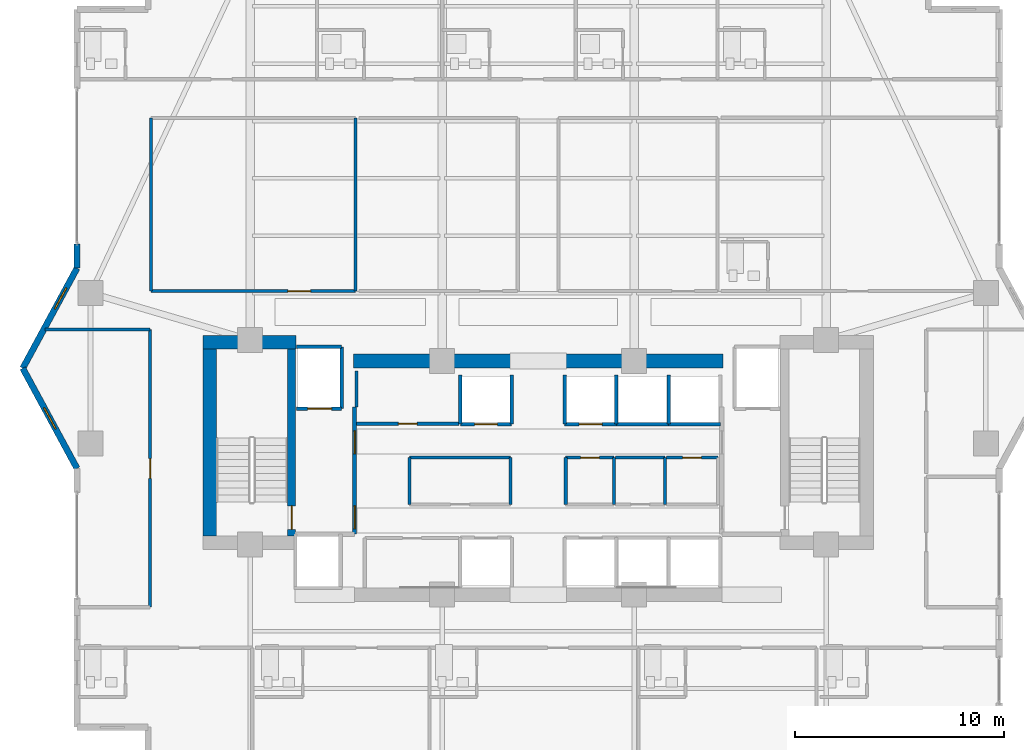
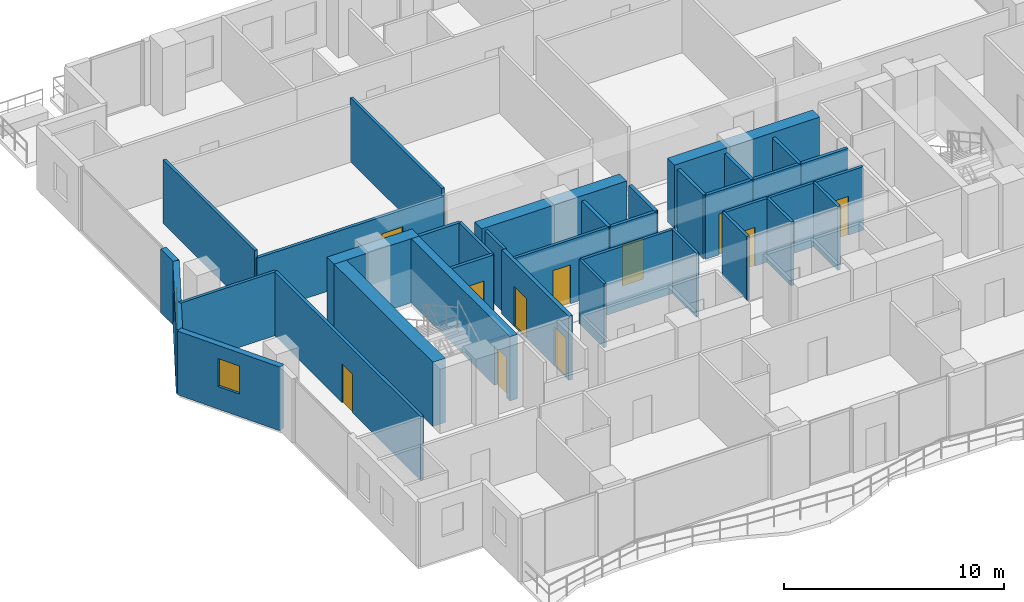
# One storey, part 25 of 32: 37 walls, 11 doors, 2 windows, 13 openings.
"""IFC4 building model written with IfcOpenShell, lengths in metres."""

from ifc_helpers import new_model, si_unit, direction, frame, frame_2d, origin, place, context, subcontext, project, spatial, rectangle, extrude, material, layer, layer_set, type_object, element, fill, save


model = new_model("IFC4")

# Units and contexts
model_context = context("Model", 3, precision=1e-05, world=origin(), true_north=direction((0.0, 1.0)))
body_context = subcontext(model_context, "Body", "Model", "MODEL_VIEW")
ifc_project = project(units=[si_unit("LENGTHUNIT", "METRE"), si_unit("AREAUNIT", "SQUARE_METRE"), si_unit("VOLUMEUNIT", "CUBIC_METRE"), si_unit("PLANEANGLEUNIT", "RADIAN"), si_unit("MASSUNIT", "GRAM", prefix="KILO")], contexts=[model_context])

# Site, building, storey
site_placement = place(None, origin())
site = spatial("IfcSite", under=ifc_project, at=site_placement, CompositionType="ELEMENT")
building_placement = place(site_placement, origin())
building = spatial("IfcBuilding", under=site, at=building_placement, Name="Zuhayl Quay Hotel", CompositionType="ELEMENT")
storey_placement = place(building_placement, frame((0.0, 0.0, 177.39990234375)))
storey = spatial("IfcBuildingStorey", under=building, at=storey_placement, Name="L44", CompositionType="ELEMENT", Elevation=177.39990234375)

# Walls
ifc_material_1 = material(Name="Concrete C50/60", Category="concrete")
ifc_layer_1 = layer(ifc_material_1, 0.64990234375, Name="Concrete C50/60", Category="concrete")
ifc_layer_set_1 = layer_set([ifc_layer_1], Name="Concrete C50/60")
wall_type_1 = type_object("IfcWallType", Name="WL_CORE_650", PredefinedType="SHEAR", material=ifc_layer_set_1)
wall_1_placement = place(storey_placement, frame((-16.06005859375, 14.2548828125, 0.0), z_axis=(0.0, 0.0, 1.0), x_axis=(1.0, 0.0, 0.0)))
element("IfcWall", 1, at=wall_1_placement, inside=storey, type_object=wall_type_1, Name="L44 Core Shear Wall CW_NW", PredefinedType="SHEAR", context=body_context, shape_type="SweptSolid", body=[
    extrude(rectangle(XDim=4.4599609375, YDim=0.64990234375, at=frame_2d((2.22998046875, 0.0))), origin(), (0.0, 0.0, 1.0), 3.56005859375),
])
wall_2_placement = place(storey_placement, frame((-15.735107421875, 4.969970703125, 0.0), z_axis=(0.0, 0.0, 1.0), x_axis=(0.0, 1.0, 0.0)))
element("IfcWall", 2, at=wall_2_placement, inside=storey, type_object=wall_type_1, Name="L44 Core Shear Wall CW_W", PredefinedType="SHEAR", context=body_context, shape_type="SweptSolid", body=[
    extrude(rectangle(XDim=8.9599609375, YDim=0.64990234375, at=frame_2d((4.47998046875, 0.0))), origin(), (0.0, 0.0, 1.0), 3.56005859375),
])
for number, where, z_axis, x_axis, name in (
    (3, (-8.85009765625, 13.35009765625, 0.0), (0.0, 0.0, 1.0), (1.0, 0.0, 0.0), "L44 Core Shear Wall CW_NC_W"),
    (4, (1.25, 13.35009765625, 0.0), (0.0, 0.0, 1.0), (1.0, 0.0, 0.0), "L44 Core Shear Wall CW_NC_E"),
):
    element("IfcWall", number, at=place(storey_placement, frame(where, z_axis=z_axis, x_axis=x_axis)), inside=storey, type_object=wall_type_1, Name=name, PredefinedType="SHEAR", context=body_context, shape_type="SweptSolid", body=[
        extrude(rectangle(XDim=7.60009765625, YDim=0.64990234375, at=frame_2d((3.800048828125, 0.0))), origin(), (0.0, 0.0, 1.0), 3.530029296875),
    ])

# Wall, opening, window
ifc_material_2 = material(Name="Precast concrete C45/55", Category="concrete")
ifc_layer_2 = layer(ifc_material_2, 0.300048828125, Name="Precast concrete C45/55", Category="concrete")
ifc_layer_set_2 = layer_set([ifc_layer_2], Name="Precast concrete C45/55")
wall_type_2 = type_object("IfcWallType", Name="WL_EXT_300", PredefinedType="STANDARD", material=ifc_layer_set_2)
wall_3_placement = place(storey_placement, frame((-22.10009765625, 8.199951171875, 0.0), z_axis=(0.0, 0.0, 1.0), x_axis=(-0.476258655584, 0.879305233114, 0.0)))
wall_3 = element("IfcWall", 5, at=wall_3_placement, inside=storey, type_object=wall_type_2, Name="L44 Exterior Precast Wall ENV_L44_EW03", PredefinedType="STANDARD", context=body_context, shape_type="SweptSolid", body=[
    extrude(rectangle(XDim=5.458984375, YDim=0.300048828125, at=frame_2d((2.7294921875, 0.0))), origin(), (0.0, 0.0, 1.0), 3.530029296875),
])
opening_1_placement = place(wall_3_placement, frame((2.154541015625, 0.0, 1.25)))
opening_1 = element("IfcOpeningElement", 6, at=opening_1_placement, cuts=wall_3, Name="Opening W01N", PredefinedType="OPENING", context=body_context, shape_type="SweptSolid", body=[
    extrude(rectangle(XDim=1.14990234375, YDim=1.550048828125, at=frame_2d((0.574951171875, 0.77490234375))), frame((0.0, 0.159912109375, 0.0), z_axis=(0.0, -1.0, 0.0), x_axis=(1.0, 0.0, 0.0)), (0.0, 0.0, 1.0), 0.320068359375),
])
ifc_material_3 = material(Name="Dark Ceramic-Fritted Solar Glass", Category="glass")
window_type = type_object("IfcWindowType", Name="WN_NOTCH_1350", PartitioningType="SINGLE_PANEL", PredefinedType="WINDOW", material=ifc_material_3)
window_1_placement = place(opening_1_placement, origin())
window_1 = element("IfcWindow", 7, at=window_1_placement, inside=storey, type_object=window_type, Name="L44 Corner Notch Window 3", OverallHeight=1.550048828125, OverallWidth=1.14990234375, PartitioningType="SINGLE_PANEL", PredefinedType="WINDOW", context=body_context, shape_type="SweptSolid", body=[
    extrude(rectangle(XDim=1.14990234375, YDim=1.550048828125, at=frame_2d((0.574951171875, 0.77490234375))), frame((0.0, 0.030029296875, 0.0), z_axis=(0.0, -1.0, 0.0), x_axis=(1.0, 0.0, 0.0)), (0.0, 0.0, 1.0), 0.06005859375),
])
fill(opening_1, window_1)

wall_4_placement = place(storey_placement, frame((-24.699951171875, 13.0, 0.0), z_axis=(0.0, 0.0, 1.0), x_axis=(0.476258655584, 0.879305233114, 0.0)))
wall_4 = element("IfcWall", 8, at=wall_4_placement, inside=storey, type_object=wall_type_2, Name="L44 Exterior Precast Wall ENV_L44_EW04", PredefinedType="STANDARD", context=body_context, shape_type="SweptSolid", body=[
    extrude(rectangle(XDim=5.458984375, YDim=0.300048828125, at=frame_2d((2.7294921875, 0.0))), origin(), (0.0, 0.0, 1.0), 3.530029296875),
])
opening_2_placement = place(wall_4_placement, frame((3.230712890625, 0.0, 1.25)))
opening_2 = element("IfcOpeningElement", 9, at=opening_2_placement, cuts=wall_4, Name="Opening W01N", PredefinedType="OPENING", context=body_context, shape_type="SweptSolid", body=[
    extrude(rectangle(XDim=1.14990234375, YDim=1.550048828125, at=frame_2d((0.574951171875, 0.77490234375))), frame((0.0, 0.159912109375, 0.0), z_axis=(0.0, -1.0, 0.0), x_axis=(1.0, 0.0, 0.0)), (0.0, 0.0, 1.0), 0.320068359375),
])
window_2_placement = place(opening_2_placement, origin())
window_2 = element("IfcWindow", 10, at=window_2_placement, inside=storey, type_object=window_type, Name="L44 Corner Notch Window 4", OverallHeight=1.550048828125, OverallWidth=1.14990234375, PartitioningType="SINGLE_PANEL", PredefinedType="WINDOW", context=body_context, shape_type="SweptSolid", body=[
    extrude(rectangle(XDim=1.14990234375, YDim=1.550048828125, at=frame_2d((0.574951171875, 0.77490234375))), frame((0.0, 0.030029296875, 0.0), z_axis=(0.0, -1.0, 0.0), x_axis=(1.0, 0.0, 0.0)), (0.0, 0.0, 1.0), 0.06005859375),
])
fill(opening_2, window_2)

# Wall
wall_5_placement = place(storey_placement, frame((-22.10009765625, 17.800048828125, 0.0), z_axis=(0.0, 0.0, 1.0), x_axis=(0.0, 1.0, 0.0)))
element("IfcWall", 11, at=wall_5_placement, inside=storey, type_object=wall_type_2, Name="L44 Exterior Precast Wall ENV_L44_E05_EW1", PredefinedType="STANDARD", context=body_context, shape_type="SweptSolid", body=[
    extrude(rectangle(XDim=1.14990234375, YDim=0.300048828125, at=frame_2d((0.574951171875, 0.0))), origin(), (0.0, 0.0, 1.0), 3.530029296875),
])

# Wall, opening, door
ifc_material_4 = material(Name="Acoustic Gypsum Partition STC-58")
ifc_layer_3 = layer(ifc_material_4, 0.14990234375, Name="Acoustic Gypsum Partition STC-58")
ifc_layer_set_3 = layer_set([ifc_layer_3], Name="Acoustic Gypsum Partition STC-58")
wall_type_3 = type_object("IfcWallType", Name="WL_PART_150", PredefinedType="PARTITIONING", material=ifc_layer_set_3)
wall_6_placement = place(storey_placement, frame((-8.7099609375, 10.340087890625, 0.0), z_axis=(0.0, 0.0, 1.0), x_axis=(1.0, 0.0, 0.0)))
wall_6 = element("IfcWall", 12, at=wall_6_placement, inside=storey, type_object=wall_type_3, Name="L44 Partition IW_L44_FLP_N_S", PredefinedType="PARTITIONING", context=body_context, shape_type="SweptSolid", body=[
    extrude(rectangle(XDim=4.919921875, YDim=0.14990234375, at=frame_2d((2.4599609375, 0.0))), origin(), (0.0, 0.0, 1.0), 3.530029296875),
])
opening_3_placement = place(wall_6_placement, frame((2.010009765625, 0.0, 0.0)))
opening_3 = element("IfcOpeningElement", 13, at=opening_3_placement, cuts=wall_6, Name="Opening D06", PredefinedType="OPENING", context=body_context, shape_type="SweptSolid", body=[
    extrude(rectangle(XDim=0.89990234375, YDim=2.14990234375, at=frame_2d((0.449951171875, 1.074951171875))), frame((0.0, 0.0849609375, 0.0), z_axis=(0.0, -1.0, 0.0), x_axis=(1.0, 0.0, 0.0)), (0.0, 0.0, 1.0), 0.169921875),
])
ifc_material_5 = material(Name="Steel ASTM A992 Grade 50", Category="steel")
door_type_1 = type_object("IfcDoorType", Name="DR_INT_900", OperationType="NOTDEFINED", PredefinedType="DOOR", material=ifc_material_5)
door_1_placement = place(opening_3_placement, origin())
door_1 = element("IfcDoor", 14, at=door_1_placement, inside=storey, type_object=door_type_1, Name="L44 Housekeeping Linen Bay Door", OperationType="SINGLE_SWING_LEFT", OverallHeight=2.14990234375, OverallWidth=0.89990234375, PredefinedType="DOOR", context=body_context, shape_type="SweptSolid", body=[
    extrude(rectangle(XDim=0.89990234375, YDim=2.14990234375, at=frame_2d((0.449951171875, 1.074951171875))), frame((0.0, 0.02490234375, 0.0), z_axis=(0.0, -1.0, 0.0), x_axis=(1.0, 0.0, 0.0)), (0.0, 0.0, 1.0), 0.050048828125),
])
fill(opening_3, door_1)

wall_7_placement = place(storey_placement, frame((1.320068359375, 8.719970703125, 0.0), z_axis=(0.0, 0.0, 1.0), x_axis=(1.0, 0.0, 0.0)))
wall_7 = element("IfcWall", 15, at=wall_7_placement, inside=storey, type_object=wall_type_3, Name="L44 Partition IW_L44_CORE_E1_N", PredefinedType="PARTITIONING", context=body_context, shape_type="SweptSolid", body=[
    extrude(rectangle(XDim=2.31982421875, YDim=0.14990234375, at=frame_2d((1.159912109375, 0.0))), origin(), (0.0, 0.0, 1.0), 3.530029296875),
])
opening_4_placement = place(wall_7_placement, frame((0.7099609375, 0.0, 0.0)))
opening_4 = element("IfcOpeningElement", 16, at=opening_4_placement, cuts=wall_7, Name="Opening D06", PredefinedType="OPENING", context=body_context, shape_type="SweptSolid", body=[
    extrude(rectangle(XDim=0.89990234375, YDim=2.14990234375, at=frame_2d((0.449951171875, 1.074951171875))), frame((0.0, 0.0849609375, 0.0), z_axis=(0.0, -1.0, 0.0), x_axis=(1.0, 0.0, 0.0)), (0.0, 0.0, 1.0), 0.169921875),
])
door_2_placement = place(opening_4_placement, origin())
door_2 = element("IfcDoor", 17, at=door_2_placement, inside=storey, type_object=door_type_1, Name="L44 Floor Electrical Closet Door", OperationType="SINGLE_SWING_LEFT", OverallHeight=2.14990234375, OverallWidth=0.89990234375, PredefinedType="DOOR", context=body_context, shape_type="SweptSolid", body=[
    extrude(rectangle(XDim=0.89990234375, YDim=2.14990234375, at=frame_2d((0.449951171875, 1.074951171875))), frame((0.0, 0.02490234375, 0.0), z_axis=(0.0, -1.0, 0.0), x_axis=(1.0, 0.0, 0.0)), (0.0, 0.0, 1.0), 0.050048828125),
])
fill(opening_4, door_2)

wall_8_placement = place(storey_placement, frame((6.139892578125, 8.719970703125, 0.0), z_axis=(0.0, 0.0, 1.0), x_axis=(1.0, 0.0, 0.0)))
wall_8 = element("IfcWall", 18, at=wall_8_placement, inside=storey, type_object=wall_type_3, Name="L44 Partition IW_L44_CORE_E3_N", PredefinedType="PARTITIONING", context=body_context, shape_type="SweptSolid", body=[
    extrude(rectangle(XDim=2.47021484375, YDim=0.14990234375, at=frame_2d((1.235107421875, 0.0))), origin(), (0.0, 0.0, 1.0), 3.530029296875),
])
opening_5_placement = place(wall_8_placement, frame((0.784912109375, 0.0, 0.0)))
opening_5 = element("IfcOpeningElement", 19, at=opening_5_placement, cuts=wall_8, Name="Opening D06", PredefinedType="OPENING", context=body_context, shape_type="SweptSolid", body=[
    extrude(rectangle(XDim=0.89990234375, YDim=2.14990234375, at=frame_2d((0.449951171875, 1.074951171875))), frame((0.0, 0.0849609375, 0.0), z_axis=(0.0, -1.0, 0.0), x_axis=(1.0, 0.0, 0.0)), (0.0, 0.0, 1.0), 0.169921875),
])
door_3_placement = place(opening_5_placement, origin())
door_3 = element("IfcDoor", 20, at=door_3_placement, inside=storey, type_object=door_type_1, Name="L44 Janitor and Cleaners Store Door", OperationType="SINGLE_SWING_LEFT", OverallHeight=2.14990234375, OverallWidth=0.89990234375, PredefinedType="DOOR", context=body_context, shape_type="SweptSolid", body=[
    extrude(rectangle(XDim=0.89990234375, YDim=2.14990234375, at=frame_2d((0.449951171875, 1.074951171875))), frame((0.0, 0.02490234375, 0.0), z_axis=(0.0, -1.0, 0.0), x_axis=(1.0, 0.0, 0.0)), (0.0, 0.0, 1.0), 0.050048828125),
])
fill(opening_5, door_3)

# Walls
wall_9_placement = place(storey_placement, frame((-8.7099609375, 11.14990234375, 0.0), z_axis=(0.0, 0.0, 1.0), x_axis=(0.0, 1.0, 0.0)))
element("IfcWall", 21, at=wall_9_placement, inside=storey, type_object=wall_type_3, Name="L44 Partition IW_L44_FLP_N_W", PredefinedType="PARTITIONING", context=body_context, shape_type="SweptSolid", body=[
    extrude(rectangle(XDim=1.710205078125, YDim=0.14990234375, at=frame_2d((0.85498046875, 0.0))), origin(), (0.0, 0.0, 1.0), 3.530029296875),
])
wall_10_placement = place(storey_placement, frame((-6.159912109375, 8.719970703125, 0.0), z_axis=(0.0, 0.0, 1.0), x_axis=(1.0, 0.0, 0.0)))
element("IfcWall", 22, at=wall_10_placement, inside=storey, type_object=wall_type_3, Name="L44 Partition IW_L44_CORE_SV_N", PredefinedType="PARTITIONING", context=body_context, shape_type="SweptSolid", body=[
    extrude(rectangle(XDim=4.83984375, YDim=0.14990234375, at=frame_2d((2.419921875, 0.0))), origin(), (0.0, 0.0, 1.0), 3.530029296875),
])
for number, where, z_axis, x_axis, name in (
    (23, (-6.159912109375, 6.47998046875, 0.0), (0.0, 0.0, 1.0), (0.0, 1.0, 0.0), "L44 Partition IW_L44_CORE_SV_W"),
    (24, (-1.320068359375, 6.47998046875, 0.0), (0.0, 0.0, 1.0), (0.0, 1.0, 0.0), "L44 Partition IW_L44_CORE_SV_E"),
    (25, (1.320068359375, 6.47998046875, 0.0), (0.0, 0.0, 1.0), (0.0, 1.0, 0.0), "L44 Partition IW_L44_CORE_E1_W"),
    (26, (3.639892578125, 6.47998046875, 0.0), (0.0, 0.0, 1.0), (0.0, 1.0, 0.0), "L44 Partition IW_L44_CORE_E1_E"),
):
    element("IfcWall", number, at=place(storey_placement, frame(where, z_axis=z_axis, x_axis=x_axis)), inside=storey, type_object=wall_type_3, Name=name, PredefinedType="PARTITIONING", context=body_context, shape_type="SweptSolid", body=[
        extrude(rectangle(XDim=2.239990234375, YDim=0.14990234375, at=frame_2d((1.1201171875, 0.0))), origin(), (0.0, 0.0, 1.0), 3.530029296875),
    ])
wall_11_placement = place(storey_placement, frame((3.699951171875, 8.719970703125, 0.0), z_axis=(0.0, 0.0, 1.0), x_axis=(1.0, 0.0, 0.0)))
element("IfcWall", 27, at=wall_11_placement, inside=storey, type_object=wall_type_3, Name="L44 Partition IW_L44_CORE_E2_N", PredefinedType="PARTITIONING", context=body_context, shape_type="SweptSolid", body=[
    extrude(rectangle(XDim=2.380126953125, YDim=0.14990234375, at=frame_2d((1.18994140625, 0.0))), origin(), (0.0, 0.0, 1.0), 3.530029296875),
])
wall_12_placement = place(storey_placement, frame((6.080078125, 6.47998046875, 0.0), z_axis=(0.0, 0.0, 1.0), x_axis=(0.0, 1.0, 0.0)))
element("IfcWall", 28, at=wall_12_placement, inside=storey, type_object=wall_type_3, Name="L44 Partition IW_L44_CORE_E2_E", PredefinedType="PARTITIONING", context=body_context, shape_type="SweptSolid", body=[
    extrude(rectangle(XDim=2.239990234375, YDim=0.14990234375, at=frame_2d((1.1201171875, 0.0))), origin(), (0.0, 0.0, 1.0), 3.530029296875),
])
for number, where, z_axis, x_axis, name in (
    (29, (-18.550048828125, 16.699951171875, 0.0), (0.0, 0.0, 1.0), (0.0, 1.0, 0.0), "L44 Partition IW_L44_Z3_SAL_W1_W"),
    (30, (-8.75, 16.699951171875, 0.0), (0.0, 0.0, 1.0), (0.0, 1.0, 0.0), "L44 Partition IW_L44_Z3_SAL_W1_E"),
):
    element("IfcWall", number, at=place(storey_placement, frame(where, z_axis=z_axis, x_axis=x_axis)), inside=storey, type_object=wall_type_3, Name=name, PredefinedType="PARTITIONING", context=body_context, shape_type="SweptSolid", body=[
        extrude(rectangle(XDim=8.300048828125, YDim=0.14990234375, at=frame_2d((4.14990234375, 0.0))), origin(), (0.0, 0.0, 1.0), 3.530029296875),
    ])
wall_13_placement = place(storey_placement, frame((-23.637939453125, 14.85009765625, 0.0), z_axis=(0.0, 0.0, 1.0), x_axis=(1.0, 0.0, 0.0)))
element("IfcWall", 31, at=wall_13_placement, inside=storey, type_object=wall_type_3, Name="L44 Partition IW_L44_WPROW_1_N", PredefinedType="PARTITIONING", context=body_context, shape_type="SweptSolid", body=[
    extrude(rectangle(XDim=5.037841796875, YDim=0.14990234375, at=frame_2d((2.51904296875, 0.0))), origin(), (0.0, 0.0, 1.0), 3.530029296875),
])

# Wall, opening, door
ifc_layer_4 = layer(ifc_material_4, 0.159912109375, Name="Acoustic Gypsum Partition STC-58")
ifc_layer_set_4 = layer_set([ifc_layer_4], Name="Acoustic Gypsum Partition STC-58")
wall_type_4 = type_object("IfcWallType", Name="WL_PART_CORR_160", PredefinedType="PARTITIONING", material=ifc_layer_set_4)
wall_14_placement = place(storey_placement, frame((-18.550048828125, 16.699951171875, 0.0), z_axis=(0.0, 0.0, 1.0), x_axis=(1.0, 0.0, 0.0)))
wall_14 = element("IfcWall", 32, at=wall_14_placement, inside=storey, type_object=wall_type_4, Name="L44 Partition IW_L44_Z3_SAL_W1_S", PredefinedType="PARTITIONING", context=body_context, shape_type="SweptSolid", body=[
    extrude(rectangle(XDim=9.800048828125, YDim=0.159912109375, at=frame_2d((4.89990234375, 0.0))), origin(), (0.0, 0.0, 1.0), 3.1240234375),
])
opening_6_placement = place(wall_14_placement, frame((6.56005859375, 0.0, 0.0)))
opening_6 = element("IfcOpeningElement", 33, at=opening_6_placement, cuts=wall_14, Name="Opening D05A", PredefinedType="OPENING", context=body_context, shape_type="SweptSolid", body=[
    extrude(rectangle(XDim=1.080078125, YDim=2.179931640625, at=frame_2d((0.5400390625, 1.08984375))), frame((0.0, 0.08984375, 0.0), z_axis=(0.0, -1.0, 0.0), x_axis=(1.0, 0.0, 0.0)), (0.0, 0.0, 1.0), 0.179931640625),
])
ifc_material_6 = material(Name="Solid Walnut Acoustic Fire Door")
door_type_2 = type_object("IfcDoorType", Name="DR_INT_1100", OperationType="NOTDEFINED", PredefinedType="DOOR", material=ifc_material_6)
door_4_placement = place(opening_6_placement, origin())
door_4 = element("IfcDoor", 34, at=door_4_placement, inside=storey, type_object=door_type_2, Name="L44 Spa Club Salon Door", OperationType="SINGLE_SWING_RIGHT", OverallHeight=2.179931640625, OverallWidth=1.080078125, PredefinedType="DOOR", context=body_context, shape_type="SweptSolid", body=[
    extrude(rectangle(XDim=1.080078125, YDim=2.179931640625, at=frame_2d((0.5400390625, 1.08984375))), frame((0.0, 0.02490234375, 0.0), z_axis=(0.0, -1.0, 0.0), x_axis=(1.0, 0.0, 0.0)), (0.0, 0.0, 1.0), 0.050048828125),
])
fill(opening_6, door_4)

wall_15_placement = place(storey_placement, frame((-18.60009765625, 1.550048828125, 0.0), z_axis=(0.0, 0.0, 1.0), x_axis=(0.0, 1.0, 0.0)))
wall_15 = element("IfcWall", 35, at=wall_15_placement, inside=storey, type_object=wall_type_4, Name="L44 Partition IW_L44_WPROW_1_E", PredefinedType="PARTITIONING", context=body_context, shape_type="SweptSolid", body=[
    extrude(rectangle(XDim=13.300048828125, YDim=0.159912109375, at=frame_2d((6.64990234375, 0.0))), origin(), (0.0, 0.0, 1.0), 3.530029296875),
])
opening_7_placement = place(wall_15_placement, frame((6.175048828125, 0.0, 0.0)))
opening_7 = element("IfcOpeningElement", 36, at=opening_7_placement, cuts=wall_15, Name="Opening D03", PredefinedType="OPENING", context=body_context, shape_type="SweptSolid", body=[
    extrude(rectangle(XDim=0.949951171875, YDim=2.14990234375, at=frame_2d((0.47509765625, 1.074951171875))), frame((0.0, 0.08984375, 0.0), z_axis=(0.0, -1.0, 0.0), x_axis=(1.0, 0.0, 0.0)), (0.0, 0.0, 1.0), 0.179931640625),
])
door_type_3 = type_object("IfcDoorType", Name="DR_SUITE_950", OperationType="NOTDEFINED", PredefinedType="DOOR", material=ifc_material_6)
door_5_placement = place(opening_7_placement, origin())
door_5 = element("IfcDoor", 37, at=door_5_placement, inside=storey, type_object=door_type_3, Name="L44 West Prow Panoramic Salon L44 Door", OperationType="SINGLE_SWING_LEFT", OverallHeight=2.14990234375, OverallWidth=0.949951171875, PredefinedType="DOOR", context=body_context, shape_type="SweptSolid", body=[
    extrude(rectangle(XDim=0.949951171875, YDim=2.14990234375, at=frame_2d((0.47509765625, 1.074951171875))), frame((0.0, 0.02490234375, 0.0), z_axis=(0.0, -1.0, 0.0), x_axis=(1.0, 0.0, 0.0)), (0.0, 0.0, 1.0), 0.050048828125),
])
fill(opening_7, door_5)

ifc_material_7 = material(Name="Gypsum Fireboard Assembly EI-90")
ifc_layer_5 = layer(ifc_material_7, 0.1650390625, Name="Gypsum Fireboard Assembly EI-90")
ifc_layer_set_5 = layer_set([ifc_layer_5], Name="Gypsum Fireboard Assembly EI-90")
wall_type_5 = type_object("IfcWallType", Name="WL_PART_SHAFT_160", PredefinedType="PARTITIONING", material=ifc_layer_set_5)
wall_16_placement = place(storey_placement, frame((-11.580078125, 11.070068359375, 0.0), z_axis=(0.0, 0.0, 1.0), x_axis=(1.0, 0.0, 0.0)))
wall_16 = element("IfcWall", 38, at=wall_16_placement, inside=storey, type_object=wall_type_5, Name="L44 Partition IW_L44_SH_FL1_F", PredefinedType="PARTITIONING", context=body_context, shape_type="SweptSolid", body=[
    extrude(rectangle(XDim=2.16015625, YDim=0.1650390625, at=frame_2d((1.080078125, 0.0))), origin(), (0.0, 0.0, 1.0), 3.530029296875),
])
opening_8_placement = place(wall_16_placement, frame((0.530029296875, 0.0, 0.0)))
opening_8 = element("IfcOpeningElement", 39, at=opening_8_placement, cuts=wall_16, Name="Opening LD2", PredefinedType="OPENING", context=body_context, shape_type="SweptSolid", body=[
    extrude(rectangle(XDim=1.14990234375, YDim=2.25, at=frame_2d((0.574951171875, 1.125))), frame((0.0, 0.092529296875, 0.0), z_axis=(0.0, -1.0, 0.0), x_axis=(1.0, 0.0, 0.0)), (0.0, 0.0, 1.0), 0.18505859375),
])
ifc_material_8 = material(Name="Brushed Stainless Steel", Category="steel")
door_type_4 = type_object("IfcDoorType", Name="DR_LIFT_FF_1100", OperationType="SLIDING_TO_LEFT", PredefinedType="DOOR", material=ifc_material_8)
door_6_placement = place(opening_8_placement, origin())
door_6 = element("IfcDoor", 40, at=door_6_placement, inside=storey, type_object=door_type_4, Name="L44 Lift FL1 Sliding Landing Door", OperationType="SLIDING_TO_LEFT", OverallHeight=2.25, OverallWidth=1.14990234375, PredefinedType="DOOR", context=body_context, shape_type="SweptSolid", body=[
    extrude(rectangle(XDim=1.14990234375, YDim=2.25, at=frame_2d((0.574951171875, 1.125))), frame((0.0, 0.02490234375, 0.0), z_axis=(0.0, -1.0, 0.0), x_axis=(1.0, 0.0, 0.0)), (0.0, 0.0, 1.0), 0.050048828125),
])
fill(opening_8, door_6)

wall_17_placement = place(storey_placement, frame((-3.72998046875, 10.320068359375, 0.0), z_axis=(0.0, 0.0, 1.0), x_axis=(1.0, 0.0, 0.0)))
wall_17 = element("IfcWall", 41, at=wall_17_placement, inside=storey, type_object=wall_type_5, Name="L44 Partition IW_L44_SH_MP3_F", PredefinedType="PARTITIONING", context=body_context, shape_type="SweptSolid", body=[
    extrude(rectangle(XDim=2.4599609375, YDim=0.1650390625, at=frame_2d((1.22998046875, 0.0))), origin(), (0.0, 0.0, 1.0), 3.530029296875),
])
opening_9_placement = place(wall_17_placement, frame((0.679931640625, 0.0, 0.0)))
opening_9 = element("IfcOpeningElement", 42, at=opening_9_placement, cuts=wall_17, Name="Opening LD1", PredefinedType="OPENING", context=body_context, shape_type="SweptSolid", body=[
    extrude(rectangle(XDim=1.10009765625, YDim=2.25, at=frame_2d((0.550048828125, 1.125))), frame((0.0, 0.092529296875, 0.0), z_axis=(0.0, -1.0, 0.0), x_axis=(1.0, 0.0, 0.0)), (0.0, 0.0, 1.0), 0.18505859375),
])
door_type_5 = type_object("IfcDoorType", Name="DR_LIFT_PASS_1100", OperationType="SLIDING_TO_LEFT", PredefinedType="DOOR", material=ifc_material_8)
door_7_placement = place(opening_9_placement, origin())
door_7 = element("IfcDoor", 43, at=door_7_placement, inside=storey, type_object=door_type_5, Name="L44 Lift MP3 Sliding Landing Door", OperationType="SLIDING_TO_LEFT", OverallHeight=2.25, OverallWidth=1.10009765625, PredefinedType="DOOR", context=body_context, shape_type="SweptSolid", body=[
    extrude(rectangle(XDim=1.10009765625, YDim=2.25, at=frame_2d((0.550048828125, 1.125))), frame((0.0, 0.02490234375, 0.0), z_axis=(0.0, -1.0, 0.0), x_axis=(1.0, 0.0, 0.0)), (0.0, 0.0, 1.0), 0.050048828125),
])
fill(opening_9, door_7)

wall_18_placement = place(storey_placement, frame((1.27001953125, 10.320068359375, 0.0), z_axis=(0.0, 0.0, 1.0), x_axis=(1.0, 0.0, 0.0)))
wall_18 = element("IfcWall", 44, at=wall_18_placement, inside=storey, type_object=wall_type_5, Name="L44 Partition IW_L44_SH_MP4_F", PredefinedType="PARTITIONING", context=body_context, shape_type="SweptSolid", body=[
    extrude(rectangle(XDim=2.47998046875, YDim=0.1650390625, at=frame_2d((1.239990234375, 0.0))), origin(), (0.0, 0.0, 1.0), 3.530029296875),
])
opening_10_placement = place(wall_18_placement, frame((0.68994140625, 0.0, 0.0)))
opening_10 = element("IfcOpeningElement", 45, at=opening_10_placement, cuts=wall_18, Name="Opening LD1", PredefinedType="OPENING", context=body_context, shape_type="SweptSolid", body=[
    extrude(rectangle(XDim=1.10009765625, YDim=2.25, at=frame_2d((0.550048828125, 1.125))), frame((0.0, 0.092529296875, 0.0), z_axis=(0.0, -1.0, 0.0), x_axis=(1.0, 0.0, 0.0)), (0.0, 0.0, 1.0), 0.18505859375),
])
door_8_placement = place(opening_10_placement, origin())
door_8 = element("IfcDoor", 46, at=door_8_placement, inside=storey, type_object=door_type_5, Name="L44 Lift MP4 Sliding Landing Door", OperationType="SLIDING_TO_LEFT", OverallHeight=2.25, OverallWidth=1.10009765625, PredefinedType="DOOR", context=body_context, shape_type="SweptSolid", body=[
    extrude(rectangle(XDim=1.10009765625, YDim=2.25, at=frame_2d((0.550048828125, 1.125))), frame((0.0, 0.02490234375, 0.0), z_axis=(0.0, -1.0, 0.0), x_axis=(1.0, 0.0, 0.0)), (0.0, 0.0, 1.0), 0.050048828125),
])
fill(opening_10, door_8)

# Walls
wall_19_placement = place(storey_placement, frame((-9.419921875, 11.070068359375, 0.0), z_axis=(0.0, 0.0, 1.0), x_axis=(0.0, 1.0, 0.0)))
element("IfcWall", 47, at=wall_19_placement, inside=storey, type_object=wall_type_5, Name="L44 Partition IW_L44_SH_FL1_E", PredefinedType="PARTITIONING", context=body_context, shape_type="SweptSolid", body=[
    extrude(rectangle(XDim=2.9599609375, YDim=0.1650390625, at=frame_2d((1.47998046875, 0.0))), origin(), (0.0, 0.0, 1.0), 3.530029296875),
])
wall_20_placement = place(storey_placement, frame((-11.580078125, 14.030029296875, 0.0), z_axis=(0.0, 0.0, 1.0), x_axis=(1.0, 0.0, 0.0)))
element("IfcWall", 48, at=wall_20_placement, inside=storey, type_object=wall_type_5, Name="L44 Partition IW_L44_SH_FL1_B", PredefinedType="PARTITIONING", context=body_context, shape_type="SweptSolid", body=[
    extrude(rectangle(XDim=2.16015625, YDim=0.1650390625, at=frame_2d((1.080078125, 0.0))), origin(), (0.0, 0.0, 1.0), 3.530029296875),
])
for number, where, z_axis, x_axis, name in (
    (49, (-3.72998046875, 10.320068359375, 0.0), (0.0, 0.0, 1.0), (0.0, 1.0, 0.0), "L44 Partition IW_L44_SH_MP3_W"),
    (50, (-1.27001953125, 10.320068359375, 0.0), (0.0, 0.0, 1.0), (0.0, 1.0, 0.0), "L44 Partition IW_L44_SH_MP3_E"),
    (51, (1.27001953125, 10.320068359375, 0.0), (0.0, 0.0, 1.0), (0.0, 1.0, 0.0), "L44 Partition IW_L44_SH_MP4_W"),
    (52, (3.75, 10.320068359375, 0.0), (0.0, 0.0, 1.0), (0.0, 1.0, 0.0), "L44 Partition IW_L44_SH_MP4_E"),
):
    element("IfcWall", number, at=place(storey_placement, frame(where, z_axis=z_axis, x_axis=x_axis)), inside=storey, type_object=wall_type_5, Name=name, PredefinedType="PARTITIONING", context=body_context, shape_type="SweptSolid", body=[
        extrude(rectangle(XDim=2.35986328125, YDim=0.1650390625, at=frame_2d((1.179931640625, 0.0))), origin(), (0.0, 0.0, 1.0), 3.530029296875),
    ])
wall_21_placement = place(storey_placement, frame((3.75, 10.320068359375, 0.0), z_axis=(0.0, 0.0, 1.0), x_axis=(1.0, 0.0, 0.0)))
element("IfcWall", 53, at=wall_21_placement, inside=storey, type_object=wall_type_5, Name="L44 Partition IW_L44_SH_HP3_F", PredefinedType="PARTITIONING", context=body_context, shape_type="SweptSolid", body=[
    extrude(rectangle(XDim=2.5, YDim=0.1650390625, at=frame_2d((1.25, 0.0))), origin(), (0.0, 0.0, 1.0), 3.530029296875),
])
wall_22_placement = place(storey_placement, frame((6.25, 10.320068359375, 0.0), z_axis=(0.0, 0.0, 1.0), x_axis=(0.0, 1.0, 0.0)))
element("IfcWall", 54, at=wall_22_placement, inside=storey, type_object=wall_type_5, Name="L44 Partition IW_L44_SH_HP3_E", PredefinedType="PARTITIONING", context=body_context, shape_type="SweptSolid", body=[
    extrude(rectangle(XDim=2.35986328125, YDim=0.1650390625, at=frame_2d((1.179931640625, 0.0))), origin(), (0.0, 0.0, 1.0), 3.530029296875),
])
wall_23_placement = place(storey_placement, frame((6.25, 10.320068359375, 0.0), z_axis=(0.0, 0.0, 1.0), x_axis=(1.0, 0.0, 0.0)))
element("IfcWall", 55, at=wall_23_placement, inside=storey, type_object=wall_type_5, Name="L44 Partition IW_L44_SH_HP4_F", PredefinedType="PARTITIONING", context=body_context, shape_type="SweptSolid", body=[
    extrude(rectangle(XDim=2.47998046875, YDim=0.1650390625, at=frame_2d((1.239990234375, 0.0))), origin(), (0.0, 0.0, 1.0), 3.530029296875),
])

# Wall, openings, doors
ifc_material_9 = material(Name="Gypsum Fireboard Assembly EI-120")
ifc_layer_6 = layer(ifc_material_9, 0.199951171875, Name="Gypsum Fireboard Assembly EI-120")
ifc_layer_set_6 = layer_set([ifc_layer_6], Name="Gypsum Fireboard Assembly EI-120")
wall_type_6 = type_object("IfcWallType", Name="WL_PART_SHAFT_200", PredefinedType="PARTITIONING", material=ifc_layer_set_6)
wall_24_placement = place(storey_placement, frame((-8.800048828125, 5.050048828125, 0.0), z_axis=(0.0, 0.0, 1.0), x_axis=(0.0, 1.0, 0.0)))
wall_24 = element("IfcWall", 56, at=wall_24_placement, inside=storey, type_object=wall_type_6, Name="L44 Partition IW_L44_FSAE_W_E", PredefinedType="PARTITIONING", context=body_context, shape_type="SweptSolid", body=[
    extrude(rectangle(XDim=6.099853515625, YDim=0.199951171875, at=frame_2d((3.0498046875, 0.0))), origin(), (0.0, 0.0, 1.0), 3.530029296875),
])
opening_11_placement = place(wall_24_placement, frame((0.25, 0.0, 0.0)))
opening_11 = element("IfcOpeningElement", 57, at=opening_11_placement, cuts=wall_24, Name="Opening D02", PredefinedType="OPENING", context=body_context, shape_type="SweptSolid", body=[
    extrude(rectangle(XDim=1.10009765625, YDim=2.199951171875, at=frame_2d((0.550048828125, 1.10009765625))), frame((0.0, 0.10986328125, 0.0), z_axis=(0.0, -1.0, 0.0), x_axis=(1.0, 0.0, 0.0)), (0.0, 0.0, 1.0), 0.219970703125),
])
opening_12_placement = place(wall_24_placement, frame((3.85009765625, 0.0, 0.0)))
opening_12 = element("IfcOpeningElement", 58, at=opening_12_placement, cuts=wall_24, Name="Opening D02", PredefinedType="OPENING", context=body_context, shape_type="SweptSolid", body=[
    extrude(rectangle(XDim=1.10009765625, YDim=2.199951171875, at=frame_2d((0.550048828125, 1.10009765625))), frame((0.0, 0.10986328125, 0.0), z_axis=(0.0, -1.0, 0.0), x_axis=(1.0, 0.0, 0.0)), (0.0, 0.0, 1.0), 0.219970703125),
])
door_type_6 = type_object("IfcDoorType", Name="DR_FIRE_90_1100", OperationType="NOTDEFINED", PredefinedType="DOOR", material=ifc_material_5)
door_9_placement = place(opening_11_placement, origin())
door_9 = element("IfcDoor", 59, at=door_9_placement, inside=storey, type_object=door_type_6, Name="L44 FSAE Lobby West South Entry Door", OperationType="SINGLE_SWING_RIGHT", OverallHeight=2.199951171875, OverallWidth=1.10009765625, PredefinedType="DOOR", context=body_context, shape_type="SweptSolid", body=[
    extrude(rectangle(XDim=1.10009765625, YDim=2.199951171875, at=frame_2d((0.550048828125, 1.10009765625))), frame((0.0, 0.02490234375, 0.0), z_axis=(0.0, -1.0, 0.0), x_axis=(1.0, 0.0, 0.0)), (0.0, 0.0, 1.0), 0.050048828125),
])
fill(opening_11, door_9)
door_10_placement = place(opening_12_placement, origin())
door_10 = element("IfcDoor", 60, at=door_10_placement, inside=storey, type_object=door_type_6, Name="L44 FSAE Lobby West North Entry Door", OperationType="SINGLE_SWING_LEFT", OverallHeight=2.199951171875, OverallWidth=1.10009765625, PredefinedType="DOOR", context=body_context, shape_type="SweptSolid", body=[
    extrude(rectangle(XDim=1.10009765625, YDim=2.199951171875, at=frame_2d((0.550048828125, 1.10009765625))), frame((0.0, 0.02490234375, 0.0), z_axis=(0.0, -1.0, 0.0), x_axis=(1.0, 0.0, 0.0)), (0.0, 0.0, 1.0), 0.050048828125),
])
fill(opening_12, door_10)

# Wall, opening, door
ifc_material_10 = material(Name="Concrete C60/75", Category="concrete")
ifc_layer_7 = layer(ifc_material_10, 0.39990234375, Name="Concrete C60/75", Category="concrete")
ifc_layer_set_7 = layer_set([ifc_layer_7], Name="Concrete C60/75")
wall_type_7 = type_object("IfcWallType", Name="WL_STAIR_400", PredefinedType="SHEAR", material=ifc_layer_set_7)
wall_25_placement = place(storey_placement, frame((-11.820068359375, 4.969970703125, 0.0), z_axis=(0.0, 0.0, 1.0), x_axis=(0.0, 1.0, 0.0)))
wall_25 = element("IfcWall", 61, at=wall_25_placement, inside=storey, type_object=wall_type_7, Name="L44 Core Shear Wall SW_ST1", PredefinedType="SHEAR", context=body_context, shape_type="SweptSolid", body=[
    extrude(rectangle(XDim=8.9599609375, YDim=0.39990234375, at=frame_2d((4.47998046875, 0.0))), origin(), (0.0, 0.0, 1.0), 3.56005859375),
])
opening_13_placement = place(wall_25_placement, frame((0.31005859375, 0.0, 0.0)))
opening_13 = element("IfcOpeningElement", 62, at=opening_13_placement, cuts=wall_25, Name="Opening D01", PredefinedType="OPENING", context=body_context, shape_type="SweptSolid", body=[
    extrude(rectangle(XDim=1.1201171875, YDim=2.219970703125, at=frame_2d((0.56005859375, 1.10986328125))), frame((0.0, 0.2099609375, 0.0), z_axis=(0.0, -1.0, 0.0), x_axis=(1.0, 0.0, 0.0)), (0.0, 0.0, 1.0), 0.419921875),
])
door_type_7 = type_object("IfcDoorType", Name="DR_STAIR_90_1100", OperationType="NOTDEFINED", PredefinedType="DOOR", material=ifc_material_5)
door_11_placement = place(opening_13_placement, origin())
door_11 = element("IfcDoor", 63, at=door_11_placement, inside=storey, type_object=door_type_7, Name="L44 Smokeproof Exit Stair ST1 Door", OperationType="SINGLE_SWING_LEFT", OverallHeight=2.219970703125, OverallWidth=1.1201171875, PredefinedType="DOOR", context=body_context, shape_type="SweptSolid", body=[
    extrude(rectangle(XDim=1.1201171875, YDim=2.219970703125, at=frame_2d((0.56005859375, 1.10986328125))), frame((0.0, 0.02490234375, 0.0), z_axis=(0.0, -1.0, 0.0), x_axis=(1.0, 0.0, 0.0)), (0.0, 0.0, 1.0), 0.050048828125),
])
fill(opening_13, door_11)

save(model, "model.ifc")
